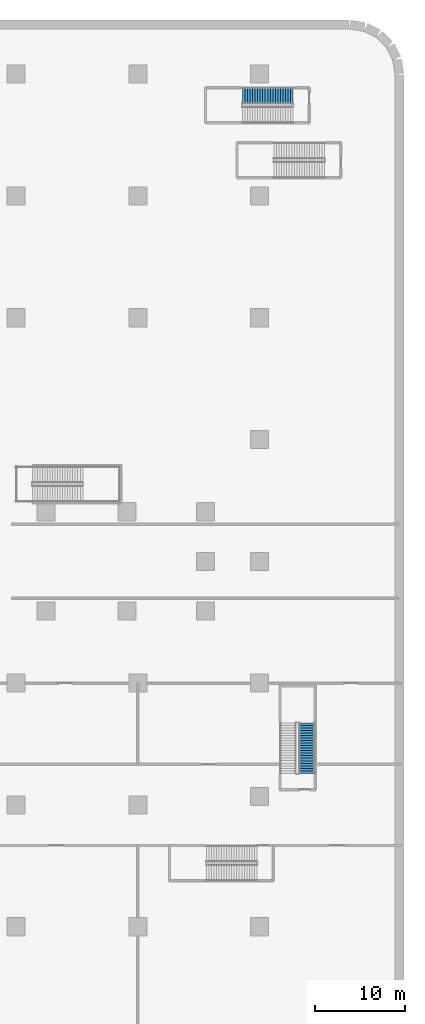
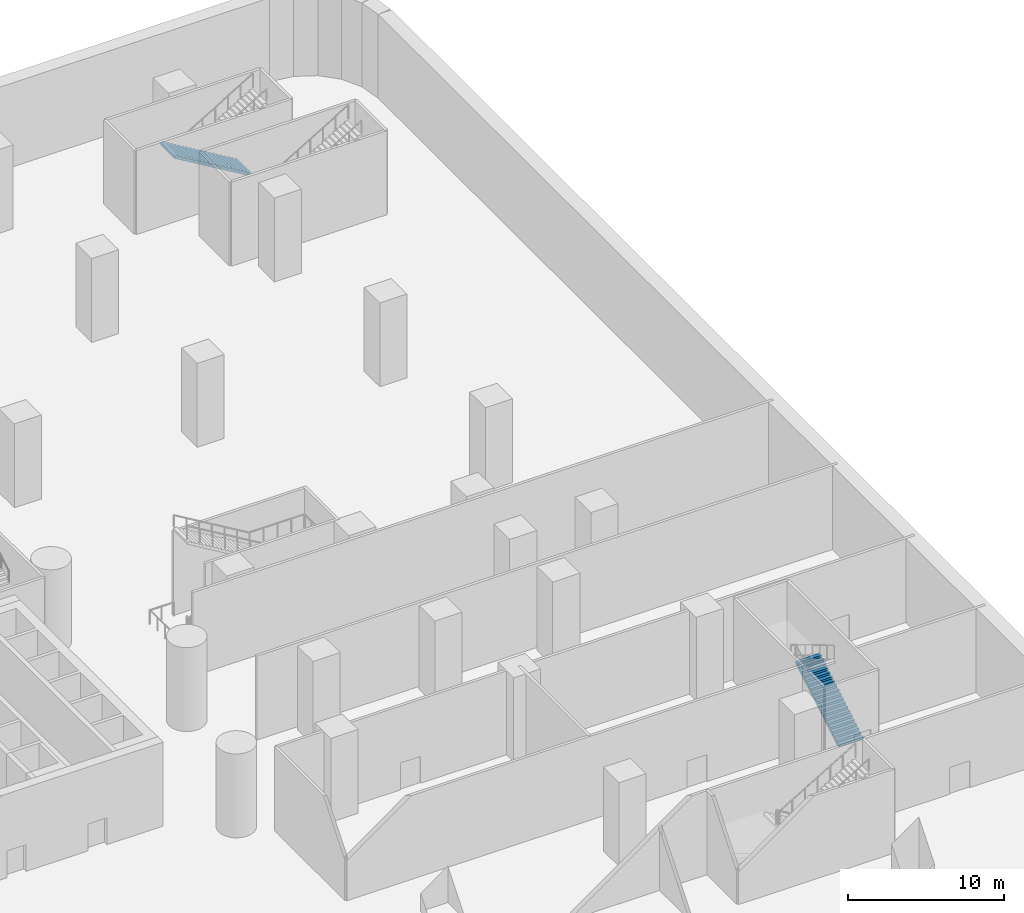
# One storey, part 15 of 30: 2 stair flights, 2 elements without a shape of their own.
"""IFC4 building model written with IfcOpenShell, lengths in metres."""

import ifcopenshell
import ifcopenshell.guid

model = None  # the IFC model being written
_history = None  # IfcOwnerHistory: only IFC2X3 demands one
_inside = {}  # id of a spatial element -> (the spatial element, [elements in it])
_under = {}  # id of a project, library or spatial element -> (it, [spatial elements below it])
_declared = {}  # id of a project -> (the project, [libraries it declares])
_typed = {}  # id of a type object -> (the type object, [elements of that type])
_made_of = {}  # id of a material, layer set ... -> (it, [elements and type objects made of it])


def new_model(schema):
    """Start an empty IFC model of exactly this schema.

    Asked for "IFC4X3", IfcOpenShell would pick the latest addendum, in which some entities
    have other attributes; the version numbers below select the first issue.
    IFC2X3 requires an IfcOwnerHistory on every rooted entity: one is made here for all.
    """
    global model, _history
    if schema == "IFC4X3":
        model = ifcopenshell.file(schema_version=(4, 3, 0, 0))
    else:
        model = ifcopenshell.file(schema=schema)
    _inside.clear()
    _under.clear()
    _declared.clear()
    _typed.clear()
    _made_of.clear()
    _history = None
    if model.schema == "IFC2X3":
        org = make("IfcOrganization", Name="unknown")
        user = make(
            "IfcPersonAndOrganization",
            ThePerson=make("IfcPerson", FamilyName="unknown"),
            TheOrganization=org,
        )
        app = make(
            "IfcApplication",
            ApplicationDeveloper=org,
            Version="unknown",
            ApplicationFullName="unknown",
            ApplicationIdentifier="unknown",
        )
        _history = make(
            "IfcOwnerHistory",
            OwningUser=user,
            OwningApplication=app,
            ChangeAction="ADDED",
            CreationDate=0,
        )
    return model


def make(cls, **values):
    """One entity of the class cls with the attributes given. An attribute that is None is left unset."""
    return model.create_entity(
        cls, **{name: value for name, value in values.items() if value is not None}
    )


def rooted(cls, **values):
    """An entity with a GlobalId (a new one), such as an element, a storey or a relation."""
    return make(cls, GlobalId=ifcopenshell.guid.new(), OwnerHistory=_history, **values)


def si_unit(unit_type, name, prefix=None):
    """IfcSIUnit, for example si_unit("LENGTHUNIT", "METRE", prefix="MILLI")."""
    return make("IfcSIUnit", UnitType=unit_type, Prefix=prefix, Name=name)


def assignment(units):
    """IfcUnitAssignment: the units of a project."""
    return None if units is None else make("IfcUnitAssignment", Units=units)


def point(xyz):
    """IfcCartesianPoint."""
    return None if xyz is None else make("IfcCartesianPoint", Coordinates=xyz)


def direction(xyz):
    """IfcDirection."""
    return None if xyz is None else make("IfcDirection", DirectionRatios=xyz)


def frame(location, z_axis=None, x_axis=None):
    """IfcAxis2Placement3D, a coordinate frame: its origin and axes. An axis left out is left unset."""
    return make(
        "IfcAxis2Placement3D",
        Location=point(location),
        Axis=direction(z_axis),
        RefDirection=direction(x_axis),
    )


def origin():
    """The frame at (0, 0, 0) with its axes left unset."""
    return frame((0.0, 0.0, 0.0))


def place(relative_to, where):
    """IfcLocalPlacement: puts the frame where relative to a parent placement (None: the world)."""
    return make(
        "IfcLocalPlacement", PlacementRelTo=relative_to, RelativePlacement=where
    )


def context(
    kind, dimensions, precision=None, world=None, true_north=None, identifier=None
):
    """IfcGeometricRepresentationContext, for example the 3D "Model" context."""
    return make(
        "IfcGeometricRepresentationContext",
        ContextIdentifier=identifier,
        ContextType=kind,
        CoordinateSpaceDimension=dimensions,
        Precision=precision,
        WorldCoordinateSystem=world,
        TrueNorth=true_north,
    )


def subcontext(parent, identifier, kind, view, scale=None):
    """IfcGeometricRepresentationSubContext, for example "Body" below "Model"."""
    return make(
        "IfcGeometricRepresentationSubContext",
        ContextIdentifier=identifier,
        ContextType=kind,
        ParentContext=parent,
        TargetScale=scale,
        TargetView=view,
    )


def project(units=None, contexts=None):
    """IfcProject with its units and contexts."""
    return rooted(
        "IfcProject",
        Name="project",
        RepresentationContexts=contexts,
        UnitsInContext=assignment(units),
    )


def spatial(cls, under=None, at=None, **own):
    """A site, building, storey or space (cls), placed at a placement, below another one or the project."""
    s = rooted(cls, ObjectPlacement=at, **own)
    if under is not None:
        _under.setdefault(under.id(), (under, []))[1].append(s)
    return s


def polyline(points):
    """IfcPolyline through the points."""
    return make("IfcPolyline", Points=[point(p) for p in points])


def outline(outer, holes=None, kind="AREA"):
    """IfcArbitraryClosedProfileDef: a profile drawn as a closed curve; with holes, ...WithVoids."""
    if holes is None:
        return make("IfcArbitraryClosedProfileDef", ProfileType=kind, OuterCurve=outer)
    return make(
        "IfcArbitraryProfileDefWithVoids",
        ProfileType=kind,
        OuterCurve=outer,
        InnerCurves=holes,
    )


def extrude(swept, where, along, depth):
    """IfcExtrudedAreaSolid: the profile swept, set in the frame where, extruded along a direction by depth."""
    return make(
        "IfcExtrudedAreaSolid",
        SweptArea=swept,
        Position=where,
        ExtrudedDirection=direction(along),
        Depth=depth,
    )


def shape(context_of_items, identifier, shape_type, items):
    """IfcShapeRepresentation: the items that make up one representation, for example the "Body"."""
    return make(
        "IfcShapeRepresentation",
        ContextOfItems=context_of_items,
        RepresentationIdentifier=identifier,
        RepresentationType=shape_type,
        Items=items,
    )


def material(Name=None, Category=None):
    """IfcMaterial."""
    return make("IfcMaterial", Name=Name, Category=Category)


def made_of(thing, what):
    """Note that an element or type object is made of a material, layer set ...; save() writes the relation."""
    if what is not None:
        _made_of.setdefault(what.id(), (what, []))[1].append(thing)
    return thing


def type_object(cls, material=None, **own):
    """A type object (cls), such as IfcWallType, which elements share."""
    return made_of(rooted(cls, **own), material)


def element(
    cls,
    number,
    at=None,
    inside=None,
    cuts=None,
    type_object=None,
    material=None,
    context=None,
    identifier="Body",
    shape_type=None,
    held_by="IfcProductDefinitionShape",
    body=None,
    shapes=None,
    **own,
):
    """One element of the class cls, such as IfcWall. Its Tag is "e" and its number.

    at: its placement. inside: the storey or other place that contains it. cuts: it is an
    opening in that element (IfcRelVoidsElement). A single representation is given by context,
    identifier, shape_type and body (its items); several are given by shapes. held_by: the class
    of the entity that holds the representations. save() writes the other relations.
    """
    e = rooted(cls, Tag="e%d" % number, ObjectPlacement=at, **own)
    if body is not None:
        shapes = [shape(context, identifier, shape_type, body)]
    if shapes is not None:
        e.Representation = make(held_by, Representations=shapes)
    if inside is not None:
        _inside.setdefault(inside.id(), (inside, []))[1].append(e)
    if cuts is not None:
        rooted(
            "IfcRelVoidsElement", RelatingBuildingElement=cuts, RelatedOpeningElement=e
        )
    if type_object is not None:
        _typed.setdefault(type_object.id(), (type_object, []))[1].append(e)
    return made_of(e, material)


def aggregate(whole, parts):
    """IfcRelAggregates: a whole, such as a stair, and the parts it consists of."""
    return rooted("IfcRelAggregates", RelatingObject=whole, RelatedObjects=parts)


def save(model, path):
    """Write the relations noted so far, then the file.

    IfcRelAggregates (storeys below a building ...), IfcRelContainedInSpatialStructure (elements
    in a storey), IfcRelDefinesByType, IfcRelAssociatesMaterial and IfcRelDeclares: one each for
    every whole, place, type object, material and project.
    """
    for whole, parts in _under.values():
        aggregate(whole, parts)
    for where, things in _inside.values():
        rooted(
            "IfcRelContainedInSpatialStructure",
            RelatedElements=things,
            RelatingStructure=where,
        )
    for kind, things in _typed.values():
        rooted("IfcRelDefinesByType", RelatedObjects=things, RelatingType=kind)
    for what, things in _made_of.values():
        rooted("IfcRelAssociatesMaterial", RelatedObjects=things, RelatingMaterial=what)
    for by, libraries in _declared.values():
        rooted("IfcRelDeclares", RelatingContext=by, RelatedDefinitions=libraries)
    model.write(path)


model = new_model("IFC4")

# Units and contexts
model_context = context("Model", 3, precision=1e-05, world=origin(), true_north=direction((0.0, 1.0)))
body_context = subcontext(model_context, "Body", "Model", "MODEL_VIEW")
ifc_project = project(units=[si_unit("LENGTHUNIT", "METRE"), si_unit("AREAUNIT", "SQUARE_METRE"), si_unit("VOLUMEUNIT", "CUBIC_METRE"), si_unit("PLANEANGLEUNIT", "RADIAN"), si_unit("MASSUNIT", "GRAM", prefix="KILO")], contexts=[model_context])

# Site, building, storey
site_placement = place(None, origin())
site = spatial("IfcSite", under=ifc_project, at=site_placement, CompositionType="ELEMENT")
building_placement = place(site_placement, origin())
building = spatial("IfcBuilding", under=site, at=building_placement, Name="Tamarind Cross Interchange Tower", CompositionType="ELEMENT")
storey_placement = place(building_placement, frame((0.0, 0.0, -14.0)))
storey = spatial("IfcBuildingStorey", under=building, at=storey_placement, Name="B2", CompositionType="ELEMENT", Elevation=-14.0)

# Stair, stair flight
ifc_material_1 = material(Name="Public stair")
stair_type = type_object("IfcStairType", Name="Public stair", PredefinedType="HALF_TURN_STAIR", material=ifc_material_1)
stair_1_placement = place(storey_placement, origin())
stair_1 = element("IfcStair", 1, at=stair_1_placement, inside=storey, type_object=stair_type, Name="B2 exit stair XS-P01", PredefinedType="HALF_TURN_STAIR")
ifc_material_2 = material(Name="Public stair flight")
stair_flight_type = type_object("IfcStairFlightType", Name="Public stair flight", PredefinedType="STRAIGHT", material=ifc_material_2)
stair_flight_1_placement = place(storey_placement, frame((57.699951171875, 51.60009765625, 0.0), z_axis=(0.0, 0.0, 1.0), x_axis=(-1.0, 0.0, 0.0)))
stair_flight_1 = element("IfcStairFlight", 2, at=stair_flight_1_placement, type_object=stair_flight_type, Name="XS-P01 flight 1", NumberOfRisers=21, NumberOfTreads=20, PredefinedType="STRAIGHT", RiserHeight=0.166666667, TreadLength=0.28, context=body_context, shape_type="SweptSolid", body=[
    extrude(outline(polyline([(0.0, 0.0), (0.0, 0.166748046875), (0.280029296875, 0.166748046875), (0.280029296875, 0.333251953125), (0.56005859375, 0.333251953125), (0.56005859375, 0.5), (0.840087890625, 0.5), (0.840087890625, 0.666748046875), (1.1201171875, 0.666748046875), (1.1201171875, 0.833251953125), (1.39990234375, 0.833251953125), (1.39990234375, 1.0), (1.679931640625, 1.0), (1.679931640625, 1.166748046875), (1.9599609375, 1.166748046875), (1.9599609375, 1.333251953125), (2.239990234375, 1.333251953125), (2.239990234375, 1.5), (2.52001953125, 1.5), (2.52001953125, 1.666748046875), (2.800048828125, 1.666748046875), (2.800048828125, 1.833251953125), (3.080078125, 1.833251953125), (3.080078125, 2.0), (3.360107421875, 2.0), (3.360107421875, 2.166748046875), (3.639892578125, 2.166748046875), (3.639892578125, 2.333251953125), (3.919921875, 2.333251953125), (3.919921875, 2.5), (4.199951171875, 2.5), (4.199951171875, 2.666748046875), (4.47998046875, 2.666748046875), (4.47998046875, 2.833251953125), (4.760009765625, 2.833251953125), (4.760009765625, 3.0), (5.0400390625, 3.0), (5.0400390625, 3.166748046875), (5.320068359375, 3.166748046875), (5.320068359375, 3.333251953125), (5.60009765625, 3.333251953125), (5.60009765625, 3.5), (5.60009765625, 3.158935546875), (0.29296875, 0.0), (0.0, 0.0)])), frame((0.0, 0.89990234375, 0.0), z_axis=(0.0, -1.0, 0.0), x_axis=(1.0, 0.0, 0.0)), (0.0, 0.0, 1.0), 1.800048828125),
])
aggregate(stair_1, [stair_flight_1])

stair_2_placement = place(storey_placement, origin())
stair_2 = element("IfcStair", 3, at=stair_2_placement, inside=storey, type_object=stair_type, Name="B2 exit stair XS-P11", PredefinedType="HALF_TURN_STAIR")
stair_flight_2_placement = place(storey_placement, frame((59.25, -23.5, 0.0), z_axis=(0.0, 0.0, 1.0), x_axis=(0.0, 1.0, 0.0)))
stair_flight_2 = element("IfcStairFlight", 4, at=stair_flight_2_placement, type_object=stair_flight_type, Name="XS-P11 flight 1", NumberOfRisers=21, NumberOfTreads=20, PredefinedType="STRAIGHT", RiserHeight=0.166666667, TreadLength=0.28, context=body_context, shape_type="SweptSolid", body=[
    extrude(outline(polyline([(0.0, 0.0), (0.0, 0.166748046875), (0.280029296875, 0.166748046875), (0.280029296875, 0.333251953125), (0.56005859375, 0.333251953125), (0.56005859375, 0.5), (0.840087890625, 0.5), (0.840087890625, 0.666748046875), (1.1201171875, 0.666748046875), (1.1201171875, 0.833251953125), (1.39990234375, 0.833251953125), (1.39990234375, 1.0), (1.679931640625, 1.0), (1.679931640625, 1.166748046875), (1.9599609375, 1.166748046875), (1.9599609375, 1.333251953125), (2.239990234375, 1.333251953125), (2.239990234375, 1.5), (2.52001953125, 1.5), (2.52001953125, 1.666748046875), (2.800048828125, 1.666748046875), (2.800048828125, 1.833251953125), (3.080078125, 1.833251953125), (3.080078125, 2.0), (3.360107421875, 2.0), (3.360107421875, 2.166748046875), (3.639892578125, 2.166748046875), (3.639892578125, 2.333251953125), (3.919921875, 2.333251953125), (3.919921875, 2.5), (4.199951171875, 2.5), (4.199951171875, 2.666748046875), (4.47998046875, 2.666748046875), (4.47998046875, 2.833251953125), (4.760009765625, 2.833251953125), (4.760009765625, 3.0), (5.0400390625, 3.0), (5.0400390625, 3.166748046875), (5.320068359375, 3.166748046875), (5.320068359375, 3.333251953125), (5.60009765625, 3.333251953125), (5.60009765625, 3.5), (5.60009765625, 3.158935546875), (0.29296875, 0.0), (0.0, 0.0)])), frame((0.0, 0.89990234375, 0.0), z_axis=(0.0, -1.0, 0.0), x_axis=(1.0, 0.0, 0.0)), (0.0, 0.0, 1.0), 1.800048828125),
])
aggregate(stair_2, [stair_flight_2])

save(model, "model.ifc")
